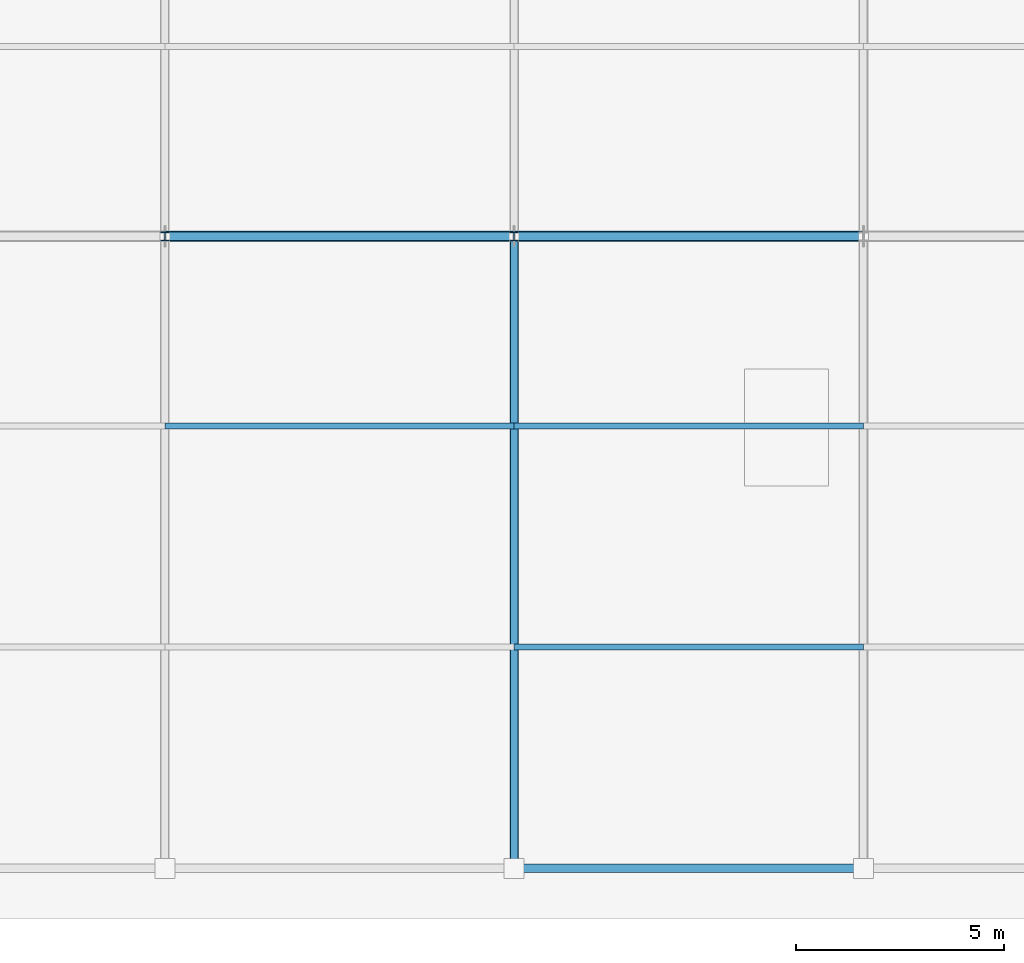
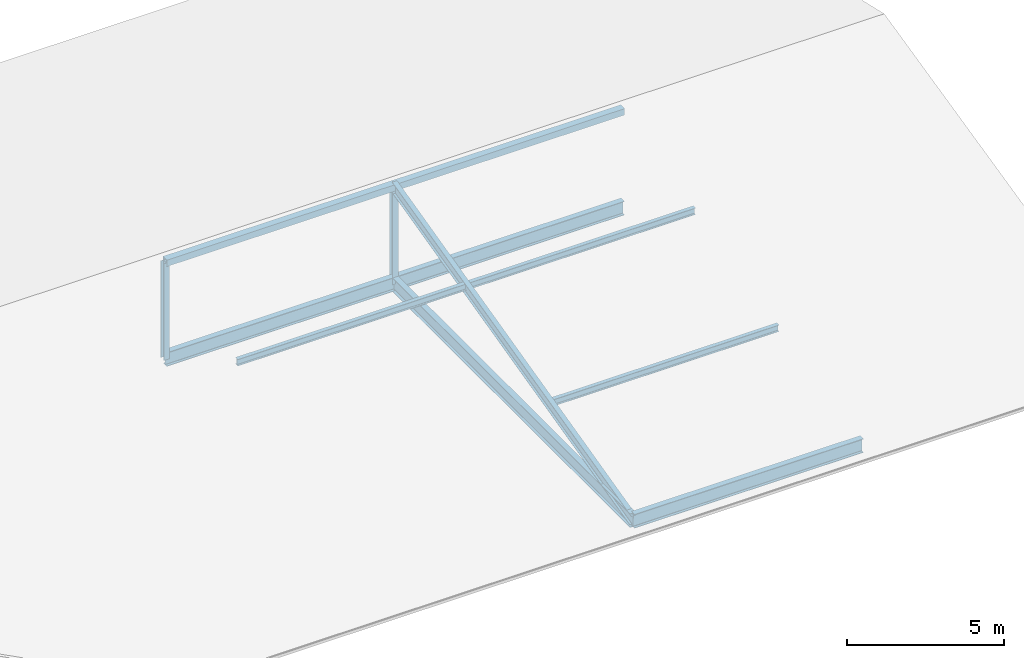
# One storey, part 2 of 8: 8 members, 4 beams.
"""IFC4 building model written with IfcOpenShell, lengths in metres."""

from ifc_helpers import new_model, si_unit, direction, frame, origin, origin_2d, place, context, subcontext, project, spatial, hollow_rectangle, i_section, extrude, material, material_profile, profile_set, type_object, element, save


model = new_model("IFC4")

# Units and contexts
model_context = context("Model", 3, precision=1e-05, world=origin(), true_north=direction((0.0, 1.0)))
body_context = subcontext(model_context, "Body", "Model", "MODEL_VIEW")
ifc_project = project(units=[si_unit("LENGTHUNIT", "METRE"), si_unit("AREAUNIT", "SQUARE_METRE"), si_unit("VOLUMEUNIT", "CUBIC_METRE"), si_unit("PLANEANGLEUNIT", "RADIAN"), si_unit("MASSUNIT", "GRAM", prefix="KILO")], contexts=[model_context])

# Site, building, storey
site_placement = place(None, origin())
site = spatial("IfcSite", under=ifc_project, at=site_placement, CompositionType="ELEMENT")
building_placement = place(site_placement, origin())
building = spatial("IfcBuilding", under=site, at=building_placement, Name="Zuvorla Pavilion Media Centre", CompositionType="ELEMENT")
storey_placement = place(building_placement, frame((0.0, 0.0, 31.199951171875)))
storey = spatial("IfcBuildingStorey", under=building, at=storey_placement, Name="RF", CompositionType="ELEMENT", Elevation=31.199951171875)

# Beams
ifc_material = material(Name="Steel S355", Category="steel")
ifc_material_profile_1 = material_profile(ifc_material, i_section(OverallWidth=0.2099609375, OverallDepth=0.53662109375, WebThickness=0.0107421875, FlangeThickness=0.017333984375, FilletRadius=0.0126953125, at=origin_2d()), Name="UB 533x210x101")
ifc_profile_set_1 = profile_set([ifc_material_profile_1], Name="Steel S355")
beam_type = type_object("IfcBeamType", Name="BM-UB533", PredefinedType="BEAM", material=ifc_profile_set_1)
for number, where, z_axis, x_axis, name in (
    (1, (92.0, 6.0, -0.280029296875), (1.0, 0.0, 0.0), (0.0, 1.0, 0.0), "RF beam B08 1835"),
    (2, (83.60009765625, 21.199951171875, -0.280029296875), (1.0, 0.0, 0.0), (0.0, 1.0, 0.0), "RF beam B08 1839"),
    (3, (92.0, 21.199951171875, -0.280029296875), (1.0, 0.0, 0.0), (0.0, 1.0, 0.0), "RF beam B08 1840"),
):
    element("IfcBeam", number, at=place(storey_placement, frame(where, z_axis=z_axis, x_axis=x_axis)), inside=storey, type_object=beam_type, Name=name, PredefinedType="BEAM", context=body_context, shape_type="SweptSolid", body=[
        extrude(i_section(OverallWidth=0.2099609375, OverallDepth=0.53662109375, WebThickness=0.0107421875, FlangeThickness=0.017333984375, FilletRadius=0.0126953125, at=origin_2d()), origin(), (0.0, 0.0, 1.0), 8.39990234375),
    ])
beam_placement = place(storey_placement, frame((92.0, 6.0, -0.280029296875), z_axis=(0.0, 1.0, 0.0), x_axis=(-1.0, 0.0, 0.0)))
element("IfcBeam", 4, at=beam_placement, inside=storey, type_object=beam_type, Name="RF beam B08 1853", PredefinedType="BEAM", context=body_context, shape_type="SweptSolid", body=[
    extrude(i_section(OverallWidth=0.2099609375, OverallDepth=0.53662109375, WebThickness=0.0107421875, FlangeThickness=0.017333984375, FilletRadius=0.0126953125, at=origin_2d()), origin(), (0.0, 0.0, 1.0), 15.199951171875),
])

# Members
ifc_material_profile_2 = material_profile(ifc_material, hollow_rectangle(XDim=0.25, YDim=0.25, WallThickness=0.012451171875, at=origin_2d()), Name="SHS 250x250x12.5")
ifc_profile_set_2 = profile_set([ifc_material_profile_2], Name="Steel S355")
member_type_1 = type_object("IfcMemberType", Name="MEM-CHD-SHS250", PredefinedType="CHORD", material=ifc_profile_set_2)
for number, where, z_axis, x_axis, name in (
    (5, (83.60009765625, 21.199951171875, 3.469970703125), (1.0, 0.0, 0.0), (0.0, 1.0, 0.0), "RF chord TC04 826"),
    (6, (92.0, 21.199951171875, 3.469970703125), (1.0, 0.0, 0.0), (0.0, 1.0, 0.0), "RF chord TC04 831"),
):
    element("IfcMember", number, at=place(storey_placement, frame(where, z_axis=z_axis, x_axis=x_axis)), inside=storey, type_object=member_type_1, Name=name, PredefinedType="CHORD", context=body_context, shape_type="SweptSolid", body=[
        extrude(hollow_rectangle(XDim=0.25, YDim=0.25, WallThickness=0.012451171875, at=origin_2d()), origin(), (0.0, 0.0, 1.0), 8.39990234375),
    ])
ifc_material_profile_3 = material_profile(ifc_material, i_section(OverallWidth=0.146484375, OverallDepth=0.256103515625, WebThickness=0.00634765625, FlangeThickness=0.010986328125, FilletRadius=0.007568359375, at=origin_2d()), Name="UB 254x146x37")
ifc_profile_set_3 = profile_set([ifc_material_profile_3], Name="Steel S355")
member_type_2 = type_object("IfcMemberType", Name="MEM-PUR-UB254", PredefinedType="PURLIN", material=ifc_profile_set_3)
for number, where, z_axis, x_axis, name in (
    (7, (83.60009765625, 16.639892578125, 2.344970703125), (1.0, 0.0, 0.0), (0.0, 1.0, 0.0), "RF purlin PR02 829"),
    (8, (92.0, 11.320068359375, 1.032470703125), (1.0, 0.0, 0.0), (0.0, 1.0, 0.0), "RF purlin PR02 832"),
    (9, (92.0, 16.639892578125, 2.344970703125), (1.0, 0.0, 0.0), (0.0, 1.0, 0.0), "RF purlin PR02 834"),
):
    element("IfcMember", number, at=place(storey_placement, frame(where, z_axis=z_axis, x_axis=x_axis)), inside=storey, type_object=member_type_2, Name=name, PredefinedType="PURLIN", context=body_context, shape_type="SweptSolid", body=[
        extrude(i_section(OverallWidth=0.146484375, OverallDepth=0.256103515625, WebThickness=0.00634765625, FlangeThickness=0.010986328125, FilletRadius=0.007568359375, at=origin_2d()), origin(), (0.0, 0.0, 1.0), 8.39990234375),
    ])
ifc_material_profile_4 = material_profile(ifc_material, i_section(OverallWidth=0.1787109375, OverallDepth=0.409423828125, WebThickness=0.0087890625, FlangeThickness=0.014404296875, FilletRadius=0.01025390625, at=origin_2d()), Name="UB 406x178x67")
ifc_profile_set_4 = profile_set([ifc_material_profile_4], Name="Steel S355")
member_type_3 = type_object("IfcMemberType", Name="MEM-RAF-UB406", PredefinedType="RAFTER", material=ifc_profile_set_4)
member_placement = place(storey_placement, frame((92.0, 6.0, -0.280029296875), z_axis=(0.0, 0.970889126904, 0.239529336951), x_axis=(-1.0, 0.0, 0.0)))
element("IfcMember", 10, at=member_placement, inside=storey, type_object=member_type_3, Name="RF rafter RF01 808", PredefinedType="RAFTER", context=body_context, shape_type="SweptSolid", body=[
    extrude(i_section(OverallWidth=0.1787109375, OverallDepth=0.409423828125, WebThickness=0.0087890625, FlangeThickness=0.014404296875, FilletRadius=0.01025390625, at=origin_2d()), origin(), (0.0, 0.0, 1.0), 15.65576171875),
])
ifc_material_profile_5 = material_profile(ifc_material, i_section(OverallWidth=0.205810546875, OverallDepth=0.209716796875, WebThickness=0.009521484375, FlangeThickness=0.01416015625, FilletRadius=0.01025390625, at=origin_2d()), Name="UC 203x203x60")
ifc_profile_set_5 = profile_set([ifc_material_profile_5], Name="Steel S355")
member_type_4 = type_object("IfcMemberType", Name="MEM-STR-UC203", PredefinedType="STRUT", material=ifc_profile_set_5)
for number, where, z_axis, x_axis, name in (
    (11, (83.60009765625, 21.199951171875, -0.280029296875), (0.0, 0.0, 1.0), (1.0, 0.0, 0.0), "RF vertical strut TS02 804"),
    (12, (92.0, 21.199951171875, -0.280029296875), (0.0, 0.0, 1.0), (1.0, 0.0, 0.0), "RF vertical strut TS02 807"),
):
    element("IfcMember", number, at=place(storey_placement, frame(where, z_axis=z_axis, x_axis=x_axis)), inside=storey, type_object=member_type_4, Name=name, PredefinedType="STRUT", context=body_context, shape_type="SweptSolid", body=[
        extrude(i_section(OverallWidth=0.205810546875, OverallDepth=0.209716796875, WebThickness=0.009521484375, FlangeThickness=0.01416015625, FilletRadius=0.01025390625, at=origin_2d()), origin(), (0.0, 0.0, 1.0), 3.75),
    ])

save(model, "model.ifc")
